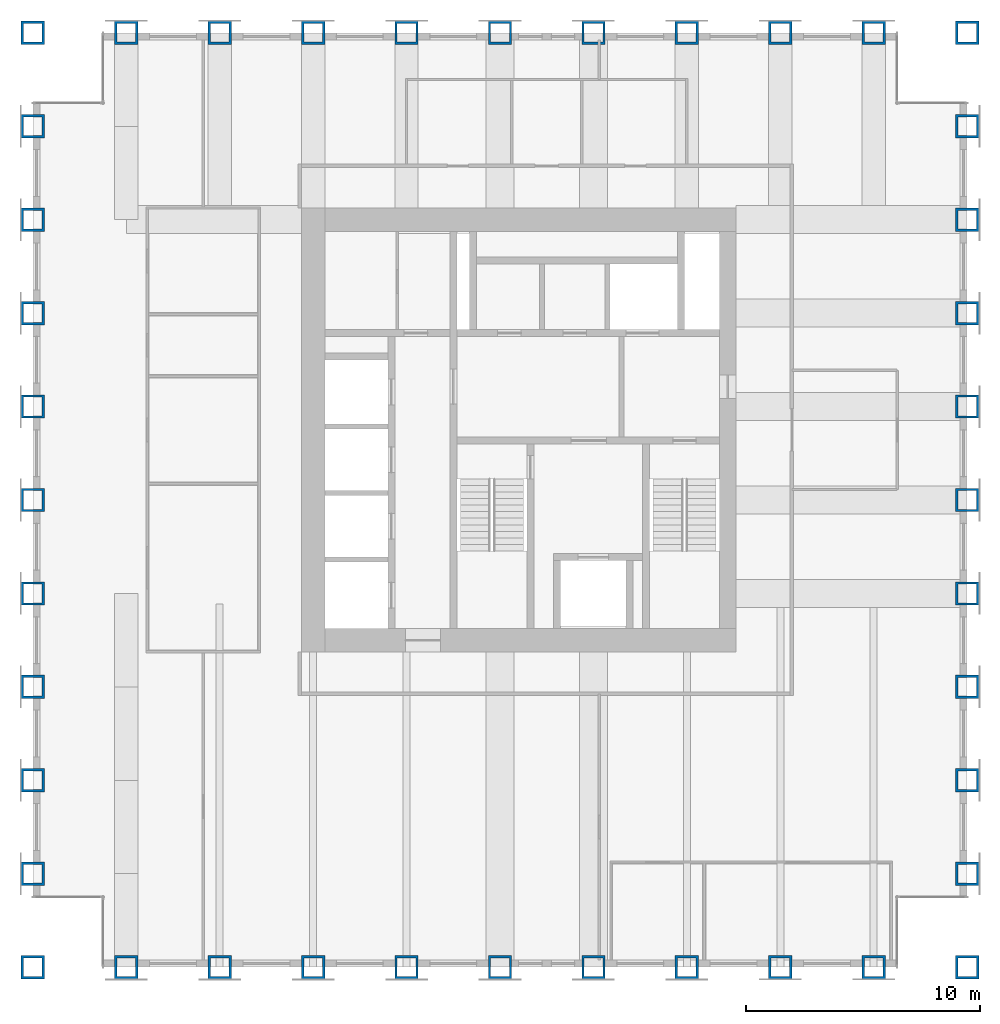
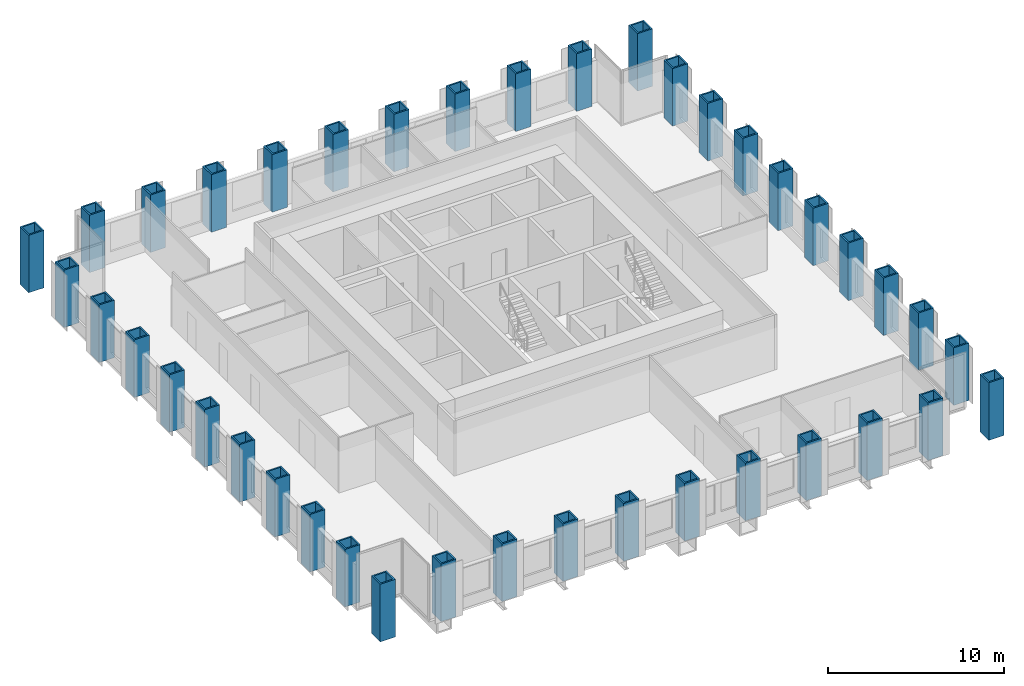
# One storey, part 1 of 10: 40 columns.
"""IFC4 building model written with IfcOpenShell, lengths in metres."""

from ifc_helpers import new_model, si_unit, direction, frame, origin, origin_2d, place, context, subcontext, project, spatial, hollow_rectangle, extrude, material, material_profile, profile_set, type_object, element, save


model = new_model("IFC4")

# Units and contexts
model_context = context("Model", 3, precision=1e-05, world=origin(), true_north=direction((0.0, 1.0)))
body_context = subcontext(model_context, "Body", "Model", "MODEL_VIEW")
ifc_project = project(units=[si_unit("LENGTHUNIT", "METRE"), si_unit("AREAUNIT", "SQUARE_METRE"), si_unit("VOLUMEUNIT", "CUBIC_METRE"), si_unit("PLANEANGLEUNIT", "RADIAN"), si_unit("MASSUNIT", "GRAM", prefix="KILO")], contexts=[model_context])

# Site, building, storey
site_placement = place(None, origin())
site = spatial("IfcSite", under=ifc_project, at=site_placement, CompositionType="ELEMENT")
building_placement = place(site_placement, origin())
building = spatial("IfcBuilding", under=site, at=building_placement, Name="Rimbunsela Tower", CompositionType="ELEMENT")
storey_placement = place(building_placement, frame((0.0, 0.0, 274.199951171875)))
storey = spatial("IfcBuildingStorey", under=building, at=storey_placement, Name="L66", CompositionType="ELEMENT", Elevation=274.199951171875)

# Columns
ifc_material = material(Name="Steel BJ 55 (fy 410 MPa)", Category="steel")
ifc_material_profile = material_profile(ifc_material, hollow_rectangle(XDim=1.0, YDim=1.0, WallThickness=0.10009765625, at=origin_2d()), Name="BOX 1000x1000x100")
ifc_profile_set = profile_set([ifc_material_profile], Name="Steel BJ 55 (fy 410 MPa)")
column_type = type_object("IfcColumnType", Name="Column BOX 1000x1000x100", PredefinedType="COLUMN", material=ifc_profile_set)
for number, where, z_axis, x_axis, name in (
    (1, (6.0, 4.0, 0.0), (0.0, 0.0, 1.0), (1.0, 0.0, 0.0), "Column C1 4/C L66"),
    (2, (6.0, 8.0, 0.0), (0.0, 0.0, 1.0), (1.0, 0.0, 0.0), "Column C1 4/D L66"),
    (3, (6.0, 12.0, 0.0), (0.0, 0.0, 1.0), (1.0, 0.0, 0.0), "Column C1 4/E L66"),
    (4, (6.0, 16.0, 0.0), (0.0, 0.0, 1.0), (1.0, 0.0, 0.0), "Column C1 4/F L66"),
    (5, (6.0, 20.0, 0.0), (0.0, 0.0, 1.0), (1.0, 0.0, 0.0), "Column C1 4/G L66"),
    (6, (6.0, 24.0, 0.0), (0.0, 0.0, 1.0), (1.0, 0.0, 0.0), "Column C1 4/H L66"),
    (7, (6.0, 28.0, 0.0), (0.0, 0.0, 1.0), (1.0, 0.0, 0.0), "Column C1 4/J L66"),
    (8, (6.0, 32.0, 0.0), (0.0, 0.0, 1.0), (1.0, 0.0, 0.0), "Column C1 4/K L66"),
    (9, (6.0, 36.0, 0.0), (0.0, 0.0, 1.0), (1.0, 0.0, 0.0), "Column C1 4/L L66"),
    (10, (6.0, 40.0, 0.0), (0.0, 0.0, 1.0), (1.0, 0.0, 0.0), "Column C1 4/M L66"),
    (11, (6.0, 44.0, 0.0), (0.0, 0.0, 1.0), (1.0, 0.0, 0.0), "Column C1 4/N L66"),
    (12, (10.0, 4.0, 0.0), (0.0, 0.0, 1.0), (1.0, 0.0, 0.0), "Column C1 5/C L66"),
    (13, (10.0, 44.0, 0.0), (0.0, 0.0, 1.0), (1.0, 0.0, 0.0), "Column C1 5/N L66"),
    (14, (14.0, 4.0, 0.0), (0.0, 0.0, 1.0), (1.0, 0.0, 0.0), "Column C1 6/C L66"),
    (15, (14.0, 44.0, 0.0), (0.0, 0.0, 1.0), (1.0, 0.0, 0.0), "Column C1 6/N L66"),
    (16, (18.0, 4.0, 0.0), (0.0, 0.0, 1.0), (1.0, 0.0, 0.0), "Column C1 7/C L66"),
    (17, (18.0, 44.0, 0.0), (0.0, 0.0, 1.0), (1.0, 0.0, 0.0), "Column C1 7/N L66"),
    (18, (22.0, 4.0, 0.0), (0.0, 0.0, 1.0), (1.0, 0.0, 0.0), "Column C1 8/C L66"),
    (19, (22.0, 44.0, 0.0), (0.0, 0.0, 1.0), (1.0, 0.0, 0.0), "Column C1 8/N L66"),
    (20, (26.0, 4.0, 0.0), (0.0, 0.0, 1.0), (1.0, 0.0, 0.0), "Column C1 9/C L66"),
    (21, (26.0, 44.0, 0.0), (0.0, 0.0, 1.0), (1.0, 0.0, 0.0), "Column C1 9/N L66"),
    (22, (30.0, 4.0, 0.0), (0.0, 0.0, 1.0), (1.0, 0.0, 0.0), "Column C1 10/C L66"),
    (23, (30.0, 44.0, 0.0), (0.0, 0.0, 1.0), (1.0, 0.0, 0.0), "Column C1 10/N L66"),
    (24, (34.0, 4.0, 0.0), (0.0, 0.0, 1.0), (1.0, 0.0, 0.0), "Column C1 11/C L66"),
    (25, (34.0, 44.0, 0.0), (0.0, 0.0, 1.0), (1.0, 0.0, 0.0), "Column C1 11/N L66"),
    (26, (38.0, 4.0, 0.0), (0.0, 0.0, 1.0), (1.0, 0.0, 0.0), "Column C1 12/C L66"),
    (27, (38.0, 44.0, 0.0), (0.0, 0.0, 1.0), (1.0, 0.0, 0.0), "Column C1 12/N L66"),
    (28, (42.0, 4.0, 0.0), (0.0, 0.0, 1.0), (1.0, 0.0, 0.0), "Column C1 13/C L66"),
    (29, (42.0, 44.0, 0.0), (0.0, 0.0, 1.0), (1.0, 0.0, 0.0), "Column C1 13/N L66"),
    (30, (46.0, 4.0, 0.0), (0.0, 0.0, 1.0), (1.0, 0.0, 0.0), "Column C1 14/C L66"),
    (31, (46.0, 8.0, 0.0), (0.0, 0.0, 1.0), (1.0, 0.0, 0.0), "Column C1 14/D L66"),
    (32, (46.0, 12.0, 0.0), (0.0, 0.0, 1.0), (1.0, 0.0, 0.0), "Column C1 14/E L66"),
    (33, (46.0, 16.0, 0.0), (0.0, 0.0, 1.0), (1.0, 0.0, 0.0), "Column C1 14/F L66"),
    (34, (46.0, 20.0, 0.0), (0.0, 0.0, 1.0), (1.0, 0.0, 0.0), "Column C1 14/G L66"),
    (35, (46.0, 24.0, 0.0), (0.0, 0.0, 1.0), (1.0, 0.0, 0.0), "Column C1 14/H L66"),
    (36, (46.0, 28.0, 0.0), (0.0, 0.0, 1.0), (1.0, 0.0, 0.0), "Column C1 14/J L66"),
    (37, (46.0, 32.0, 0.0), (0.0, 0.0, 1.0), (1.0, 0.0, 0.0), "Column C1 14/K L66"),
    (38, (46.0, 36.0, 0.0), (0.0, 0.0, 1.0), (1.0, 0.0, 0.0), "Column C1 14/L L66"),
    (39, (46.0, 40.0, 0.0), (0.0, 0.0, 1.0), (1.0, 0.0, 0.0), "Column C1 14/M L66"),
    (40, (46.0, 44.0, 0.0), (0.0, 0.0, 1.0), (1.0, 0.0, 0.0), "Column C1 14/N L66"),
):
    element("IfcColumn", number, at=place(storey_placement, frame(where, z_axis=z_axis, x_axis=x_axis)), inside=storey, type_object=column_type, Name=name, PredefinedType="COLUMN", context=body_context, shape_type="SweptSolid", body=[
        extrude(hollow_rectangle(XDim=1.0, YDim=1.0, WallThickness=0.10009765625, at=origin_2d()), origin(), (0.0, 0.0, 1.0), 4.0),
    ])

save(model, "model.ifc")
